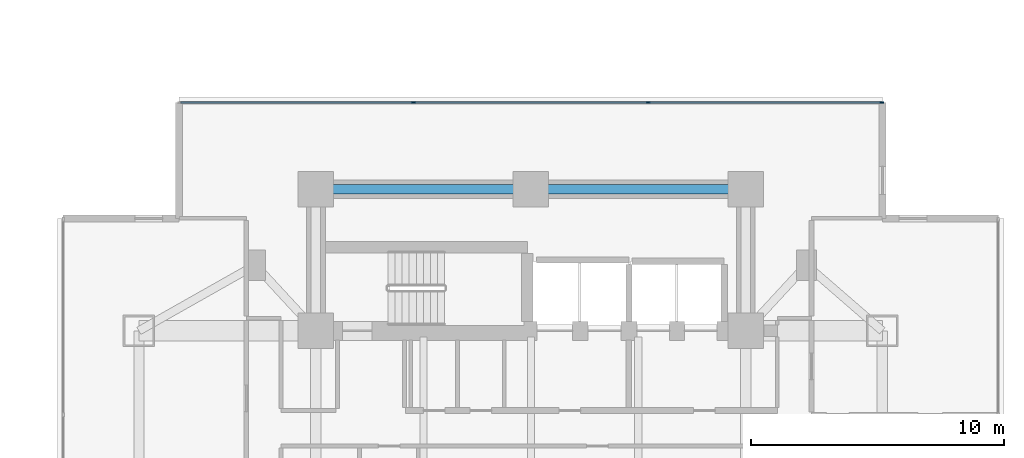
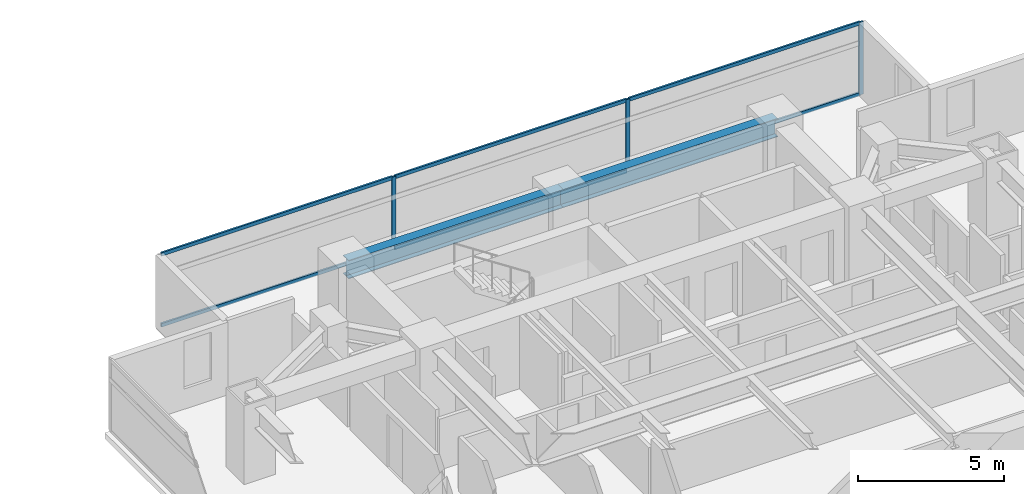
# One storey, part 11 of 25: 9 members, 2 beams, 1 element without a shape of its own.
"""IFC4 building model written with IfcOpenShell, lengths in metres."""

from ifc_helpers import new_model, si_unit, direction, frame, origin, origin_2d, place, context, subcontext, project, spatial, rectangle, i_section, extrude, material, material_profile, profile_set, type_object, element, aggregate, save


model = new_model("IFC4")

# Units and contexts
model_context = context("Model", 3, precision=1e-05, world=origin(), true_north=direction((0.0, 1.0)))
body_context = subcontext(model_context, "Body", "Model", "MODEL_VIEW")
ifc_project = project(units=[si_unit("LENGTHUNIT", "METRE"), si_unit("AREAUNIT", "SQUARE_METRE"), si_unit("VOLUMEUNIT", "CUBIC_METRE"), si_unit("PLANEANGLEUNIT", "RADIAN"), si_unit("MASSUNIT", "GRAM", prefix="KILO")], contexts=[model_context])

# Site, building, storey
site_placement = place(None, origin())
site = spatial("IfcSite", under=ifc_project, at=site_placement, CompositionType="ELEMENT")
building_placement = place(site_placement, origin())
building = spatial("IfcBuilding", under=site, at=building_placement, Name="Mirazonda Arch Towers", CompositionType="ELEMENT")
storey_placement = place(building_placement, frame((0.0, 0.0, 32.300048828125)))
storey = spatial("IfcBuildingStorey", under=building, at=storey_placement, Name="L08", CompositionType="ELEMENT", Elevation=32.300048828125)

# Beams
ifc_material_1 = material(Name="Steel ASTM A992 Grade 50", Category="steel")
ifc_material_profile_1 = material_profile(ifc_material_1, i_section(OverallWidth=0.381103515625, OverallDepth=0.77294921875, WebThickness=0.0166015625, FlangeThickness=0.027099609375, at=origin_2d()), Name="W30X173")
ifc_profile_set_1 = profile_set([ifc_material_profile_1], Name="Steel ASTM A992 Grade 50")
beam_type = type_object("IfcBeamType", Name="BM-INT-W30X173", PredefinedType="USERDEFINED", material=ifc_profile_set_1)
for number, where, z_axis, x_axis, name in (
    (1, (68.0, 40.800048828125, 2.67333984375), (1.0, 0.0, 0.0), (0.0, 1.0, 0.0), "L08 Floor Beam BM-T2-L08-CN1"),
    (2, (76.5, 40.800048828125, 2.67333984375), (1.0, 0.0, 0.0), (0.0, 1.0, 0.0), "L08 Floor Beam BM-T2-L08-CN2"),
):
    element("IfcBeam", number, at=place(storey_placement, frame(where, z_axis=z_axis, x_axis=x_axis)), inside=storey, type_object=beam_type, Name=name, ObjectType="GIRDER", PredefinedType="USERDEFINED", context=body_context, shape_type="SweptSolid", body=[
        extrude(i_section(OverallWidth=0.381103515625, OverallDepth=0.77294921875, WebThickness=0.0166015625, FlangeThickness=0.027099609375, at=origin_2d()), origin(), (0.0, 0.0, 1.0), 8.5),
    ])

# Curtain wall, members
ifc_material_2 = material(Name="Anodised Aluminium and Low-E Glass", Category="aluminium")
curtain_wall_type = type_object("IfcCurtainWallType", Name="CW-HTL-UNIT", PredefinedType="NOTDEFINED", material=ifc_material_2)
curtain_wall_placement = place(storey_placement, origin())
curtain_wall = element("IfcCurtainWall", 3, at=curtain_wall_placement, inside=storey, type_object=curtain_wall_type, Name="L08 T2 N Facade CW-L08-T2-N", PredefinedType="NOTDEFINED")
ifc_material_3 = material(Name="Anodised Aluminium Alloy", Category="aluminium")
ifc_material_profile_2 = material_profile(ifc_material_3, rectangle(XDim=0.074951171875, YDim=0.1650390625, at=origin_2d()), Name="ALU-MULL-75x165")
ifc_profile_set_2 = profile_set([ifc_material_profile_2], Name="Anodised Aluminium Alloy")
member_type_1 = type_object("IfcMemberType", Name="MULL-CW-HTL-UNIT", PredefinedType="MULLION", material=ifc_profile_set_2)
member_1_placement = place(storey_placement, frame((71.862060546875, 44.22998046875, 0.0), z_axis=(0.0, 0.0, 1.0), x_axis=(0.0, 1.0, 0.0)))
member_1 = element("IfcMember", 4, at=member_1_placement, type_object=member_type_1, Name="CW-112 mullion 2", PredefinedType="MULLION", context=body_context, shape_type="SweptSolid", body=[
    extrude(rectangle(XDim=0.074951171875, YDim=0.1650390625, at=origin_2d()), origin(), (0.0, 0.0, 1.0), 3.0400390625),
])
member_2_placement = place(storey_placement, frame((81.137939453125, 44.22998046875, 0.0), z_axis=(0.0, 0.0, 1.0), x_axis=(0.0, 1.0, 0.0)))
member_2 = element("IfcMember", 5, at=member_2_placement, type_object=member_type_1, Name="CW-112 mullion 3", PredefinedType="MULLION", context=body_context, shape_type="SweptSolid", body=[
    extrude(rectangle(XDim=0.074951171875, YDim=0.1650390625, at=origin_2d()), origin(), (0.0, 0.0, 1.0), 3.0400390625),
])
member_3_placement = place(storey_placement, frame((90.37646484375, 44.22998046875, 0.0), z_axis=(0.0, 0.0, 1.0), x_axis=(0.0, 1.0, 0.0)))
member_3 = element("IfcMember", 6, at=member_3_placement, type_object=member_type_1, Name="CW-112 mullion 4", PredefinedType="MULLION", context=body_context, shape_type="SweptSolid", body=[
    extrude(rectangle(XDim=0.074951171875, YDim=0.1650390625, at=origin_2d()), origin(), (0.0, 0.0, 1.0), 3.0400390625),
])
ifc_material_profile_3 = material_profile(ifc_material_3, rectangle(XDim=0.074951171875, YDim=0.14501953125, at=origin_2d()), Name="ALU-TRAN-75x145")
ifc_profile_set_3 = profile_set([ifc_material_profile_3], Name="Anodised Aluminium Alloy")
member_type_2 = type_object("IfcMemberType", Name="TRAN-CW-HTL-UNIT", PredefinedType="USERDEFINED", material=ifc_profile_set_3)
member_4_placement = place(storey_placement, frame((62.660888671875, 44.22998046875, 0.037353515625), z_axis=(1.0, 0.0, 0.0), x_axis=(0.0, 1.0, 0.0)))
member_4 = element("IfcMember", 7, at=member_4_placement, type_object=member_type_2, Name="CW-112 transom 1.1", ObjectType="TRANSOM", PredefinedType="USERDEFINED", context=body_context, shape_type="SweptSolid", body=[
    extrude(rectangle(XDim=0.074951171875, YDim=0.14501953125, at=origin_2d()), origin(), (0.0, 0.0, 1.0), 9.16357421875),
])
member_5_placement = place(storey_placement, frame((62.660888671875, 44.22998046875, 3.00244140625), z_axis=(1.0, 0.0, 0.0), x_axis=(0.0, 1.0, 0.0)))
member_5 = element("IfcMember", 8, at=member_5_placement, type_object=member_type_2, Name="CW-112 transom 1.2", ObjectType="TRANSOM", PredefinedType="USERDEFINED", context=body_context, shape_type="SweptSolid", body=[
    extrude(rectangle(XDim=0.074951171875, YDim=0.14501953125, at=origin_2d()), origin(), (0.0, 0.0, 1.0), 9.16357421875),
])
member_6_placement = place(storey_placement, frame((71.8994140625, 44.22998046875, 0.037353515625), z_axis=(1.0, 0.0, 0.0), x_axis=(0.0, 1.0, 0.0)))
member_6 = element("IfcMember", 9, at=member_6_placement, type_object=member_type_2, Name="CW-112 transom 2.1", ObjectType="TRANSOM", PredefinedType="USERDEFINED", context=body_context, shape_type="SweptSolid", body=[
    extrude(rectangle(XDim=0.074951171875, YDim=0.14501953125, at=origin_2d()), origin(), (0.0, 0.0, 1.0), 9.201171875),
])
member_7_placement = place(storey_placement, frame((71.8994140625, 44.22998046875, 3.00244140625), z_axis=(1.0, 0.0, 0.0), x_axis=(0.0, 1.0, 0.0)))
member_7 = element("IfcMember", 10, at=member_7_placement, type_object=member_type_2, Name="CW-112 transom 2.2", ObjectType="TRANSOM", PredefinedType="USERDEFINED", context=body_context, shape_type="SweptSolid", body=[
    extrude(rectangle(XDim=0.074951171875, YDim=0.14501953125, at=origin_2d()), origin(), (0.0, 0.0, 1.0), 9.201171875),
])
member_8_placement = place(storey_placement, frame((81.175537109375, 44.22998046875, 0.037353515625), z_axis=(1.0, 0.0, 0.0), x_axis=(0.0, 1.0, 0.0)))
member_8 = element("IfcMember", 11, at=member_8_placement, type_object=member_type_2, Name="CW-112 transom 3.1", ObjectType="TRANSOM", PredefinedType="USERDEFINED", context=body_context, shape_type="SweptSolid", body=[
    extrude(rectangle(XDim=0.074951171875, YDim=0.14501953125, at=origin_2d()), origin(), (0.0, 0.0, 1.0), 9.16357421875),
])
member_9_placement = place(storey_placement, frame((81.175537109375, 44.22998046875, 3.00244140625), z_axis=(1.0, 0.0, 0.0), x_axis=(0.0, 1.0, 0.0)))
member_9 = element("IfcMember", 12, at=member_9_placement, type_object=member_type_2, Name="CW-112 transom 3.2", ObjectType="TRANSOM", PredefinedType="USERDEFINED", context=body_context, shape_type="SweptSolid", body=[
    extrude(rectangle(XDim=0.074951171875, YDim=0.14501953125, at=origin_2d()), origin(), (0.0, 0.0, 1.0), 9.16357421875),
])
aggregate(curtain_wall, [member_1, member_2, member_3, member_4, member_5, member_6, member_7, member_8, member_9])

save(model, "model.ifc")
